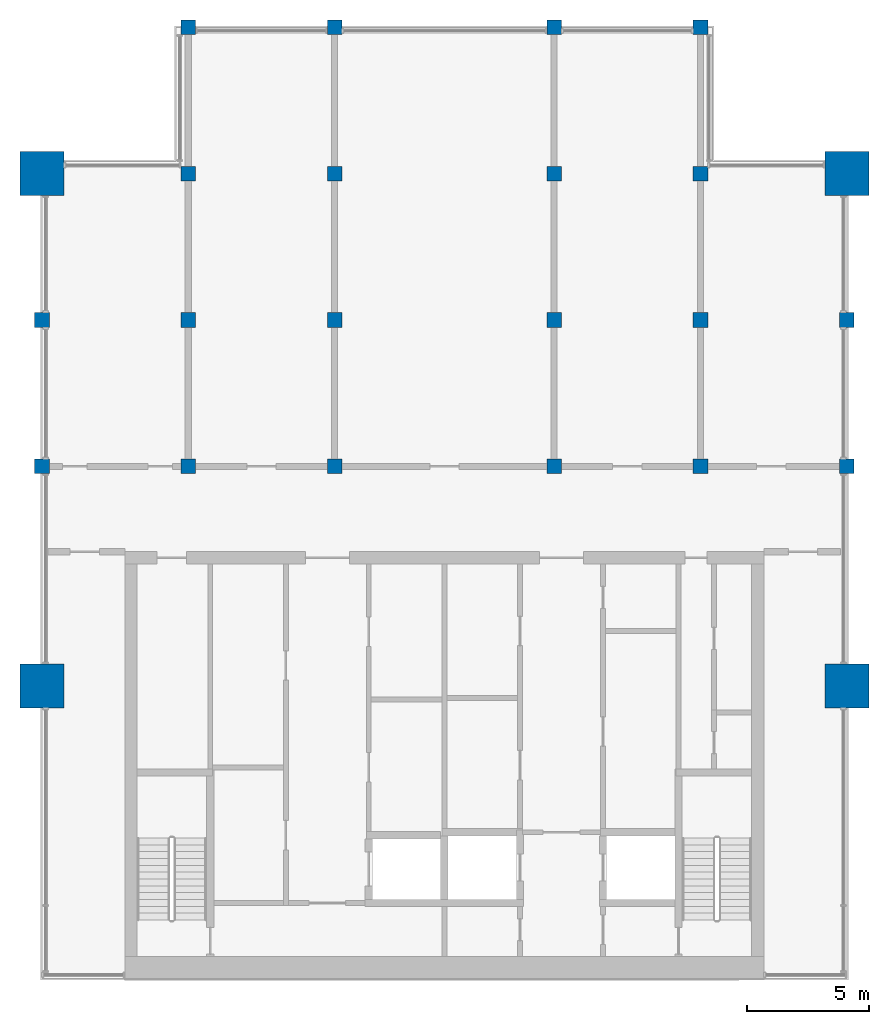
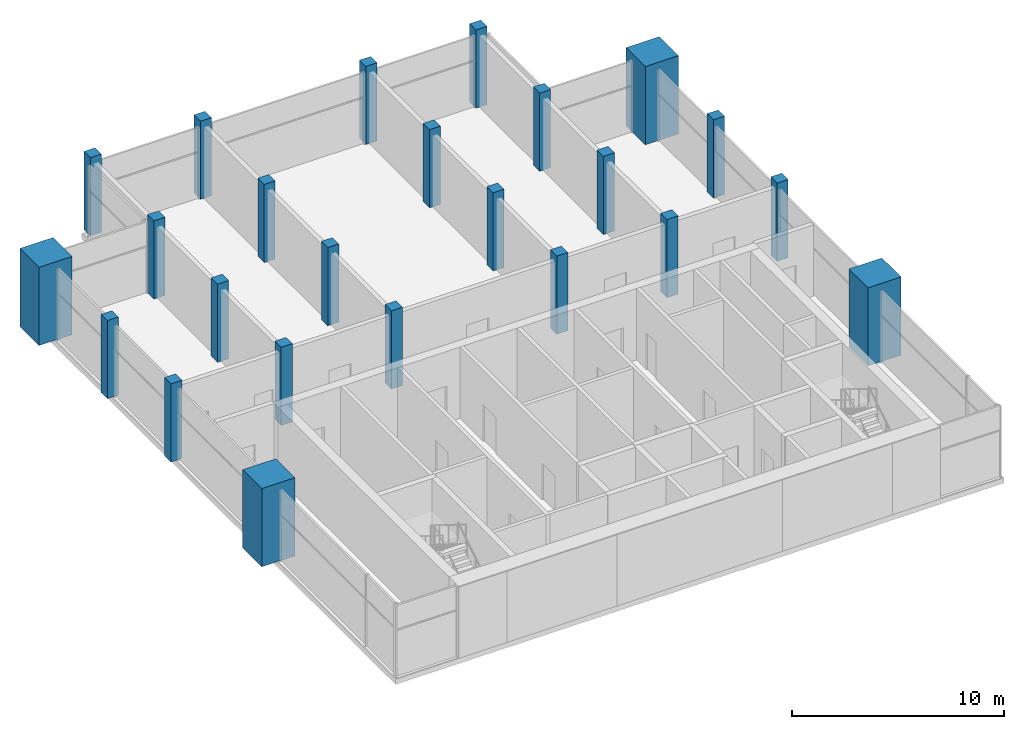
# One storey, part 1 of 9: 24 columns.
"""IFC4 building model written with IfcOpenShell, lengths in metres."""

from ifc_helpers import new_model, si_unit, direction, frame, origin, origin_2d, place, context, subcontext, project, spatial, rectangle, extrude, material, material_profile, profile_set, type_object, element, save


model = new_model("IFC4")

# Units and contexts
model_context = context("Model", 3, precision=1e-05, world=origin(), true_north=direction((0.0, 1.0)))
body_context = subcontext(model_context, "Body", "Model", "MODEL_VIEW")
ifc_project = project(units=[si_unit("LENGTHUNIT", "METRE"), si_unit("AREAUNIT", "SQUARE_METRE"), si_unit("VOLUMEUNIT", "CUBIC_METRE"), si_unit("PLANEANGLEUNIT", "RADIAN"), si_unit("MASSUNIT", "GRAM", prefix="KILO")], contexts=[model_context])

# Site, building, storey
site_placement = place(None, origin())
site = spatial("IfcSite", under=ifc_project, at=site_placement, CompositionType="ELEMENT")
building_placement = place(site_placement, origin())
building = spatial("IfcBuilding", under=site, at=building_placement, Name="Finial Court Residences", CompositionType="ELEMENT")
storey_placement = place(building_placement, frame((0.0, 0.0, 307.699951171875)))
storey = spatial("IfcBuildingStorey", under=building, at=storey_placement, Name="L78", CompositionType="ELEMENT", Elevation=307.699951171875)

# Columns
ifc_material = material(Name="Concrete C40/50", Category="concrete")
ifc_material_profile_1 = material_profile(ifc_material, rectangle(XDim=0.60009765625, YDim=0.60009765625, at=origin_2d()), Name="600x600")
ifc_profile_set_1 = profile_set([ifc_material_profile_1], Name="Concrete C40/50")
column_type_1 = type_object("IfcColumnType", Name="Interior column 600x600 Concrete C40/50", PredefinedType="COLUMN", material=ifc_profile_set_1)
for number, where, z_axis, x_axis, name in (
    (1, (-10.5, -4.5, 0.0), (0.0, 0.0, 1.0), (1.0, 0.0, 0.0), "S:COL:L78:D4"),
    (2, (-10.5, 1.5, 0.0), (0.0, 0.0, 1.0), (1.0, 0.0, 0.0), "S:COL:L78:D5"),
    (3, (-4.5, -4.5, 0.0), (0.0, 0.0, 1.0), (1.0, 0.0, 0.0), "S:COL:L78:E4"),
    (4, (-4.5, 1.5, 0.0), (0.0, 0.0, 1.0), (1.0, 0.0, 0.0), "S:COL:L78:E5"),
    (5, (-4.5, 7.5, 0.0), (0.0, 0.0, 1.0), (1.0, 0.0, 0.0), "S:COL:L78:E6"),
    (6, (4.5, -4.5, 0.0), (0.0, 0.0, 1.0), (1.0, 0.0, 0.0), "S:COL:L78:F4"),
    (7, (4.5, 1.5, 0.0), (0.0, 0.0, 1.0), (1.0, 0.0, 0.0), "S:COL:L78:F5"),
    (8, (4.5, 7.5, 0.0), (0.0, 0.0, 1.0), (1.0, 0.0, 0.0), "S:COL:L78:F6"),
    (9, (10.5, -4.5, 0.0), (0.0, 0.0, 1.0), (1.0, 0.0, 0.0), "S:COL:L78:G4"),
    (10, (10.5, 1.5, 0.0), (0.0, 0.0, 1.0), (1.0, 0.0, 0.0), "S:COL:L78:G5"),
):
    element("IfcColumn", number, at=place(storey_placement, frame(where, z_axis=z_axis, x_axis=x_axis)), inside=storey, type_object=column_type_1, Name=name, PredefinedType="COLUMN", context=body_context, shape_type="SweptSolid", body=[
        extrude(rectangle(XDim=0.60009765625, YDim=0.60009765625, at=origin_2d()), origin(), (0.0, 0.0, 1.0), 4.5),
    ])
ifc_material_profile_2 = material_profile(ifc_material, rectangle(XDim=1.800048828125, YDim=1.800048828125, at=origin_2d()), Name="1800x1800")
ifc_profile_set_2 = profile_set([ifc_material_profile_2], Name="Concrete C40/50")
column_type_2 = type_object("IfcColumnType", Name="Mega column 1800x1800 Concrete C40/50", PredefinedType="COLUMN", material=ifc_profile_set_2)
for number, where, z_axis, x_axis, name in (
    (11, (-16.5, -13.5, 0.0), (0.0, 0.0, 1.0), (1.0, 0.0, 0.0), "S:COL:L78:C3"),
    (12, (-16.5, 7.5, 0.0), (0.0, 0.0, 1.0), (1.0, 0.0, 0.0), "S:COL:L78:C6"),
    (13, (16.5, -13.5, 0.0), (0.0, 0.0, 1.0), (1.0, 0.0, 0.0), "S:COL:L78:H3"),
    (14, (16.5, 7.5, 0.0), (0.0, 0.0, 1.0), (1.0, 0.0, 0.0), "S:COL:L78:H6"),
):
    element("IfcColumn", number, at=place(storey_placement, frame(where, z_axis=z_axis, x_axis=x_axis)), inside=storey, type_object=column_type_2, Name=name, PredefinedType="COLUMN", context=body_context, shape_type="SweptSolid", body=[
        extrude(rectangle(XDim=1.800048828125, YDim=1.800048828125, at=origin_2d()), origin(), (0.0, 0.0, 1.0), 4.5),
    ])
ifc_material_profile_3 = material_profile(ifc_material, rectangle(XDim=0.60009765625, YDim=0.60009765625, at=origin_2d()), Name="600x600")
ifc_profile_set_3 = profile_set([ifc_material_profile_3], Name="Concrete C40/50")
column_type_3 = type_object("IfcColumnType", Name="Perimeter column 600x600 Concrete C40/50", PredefinedType="COLUMN", material=ifc_profile_set_3)
for number, where, z_axis, x_axis, name in (
    (15, (-16.5, -4.5, 0.0), (0.0, 0.0, 1.0), (1.0, 0.0, 0.0), "S:COL:L78:C4"),
    (16, (-16.5, 1.5, 0.0), (0.0, 0.0, 1.0), (1.0, 0.0, 0.0), "S:COL:L78:C5"),
    (17, (-10.5, 7.5, 0.0), (0.0, 0.0, 1.0), (1.0, 0.0, 0.0), "S:COL:L78:D6"),
    (18, (-10.5, 13.5, 0.0), (0.0, 0.0, 1.0), (1.0, 0.0, 0.0), "S:COL:L78:D7"),
    (19, (-4.5, 13.5, 0.0), (0.0, 0.0, 1.0), (1.0, 0.0, 0.0), "S:COL:L78:E7"),
    (20, (4.5, 13.5, 0.0), (0.0, 0.0, 1.0), (1.0, 0.0, 0.0), "S:COL:L78:F7"),
    (21, (10.5, 7.5, 0.0), (0.0, 0.0, 1.0), (1.0, 0.0, 0.0), "S:COL:L78:G6"),
    (22, (10.5, 13.5, 0.0), (0.0, 0.0, 1.0), (1.0, 0.0, 0.0), "S:COL:L78:G7"),
    (23, (16.5, -4.5, 0.0), (0.0, 0.0, 1.0), (1.0, 0.0, 0.0), "S:COL:L78:H4"),
    (24, (16.5, 1.5, 0.0), (0.0, 0.0, 1.0), (1.0, 0.0, 0.0), "S:COL:L78:H5"),
):
    element("IfcColumn", number, at=place(storey_placement, frame(where, z_axis=z_axis, x_axis=x_axis)), inside=storey, type_object=column_type_3, Name=name, PredefinedType="COLUMN", context=body_context, shape_type="SweptSolid", body=[
        extrude(rectangle(XDim=0.60009765625, YDim=0.60009765625, at=origin_2d()), origin(), (0.0, 0.0, 1.0), 4.5),
    ])

save(model, "model.ifc")
